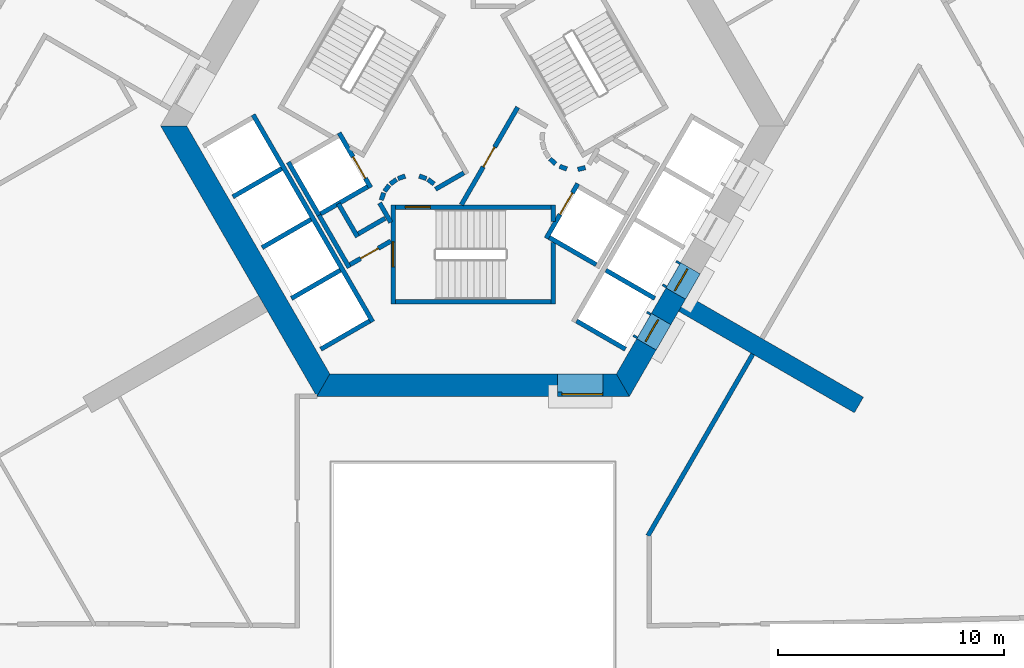
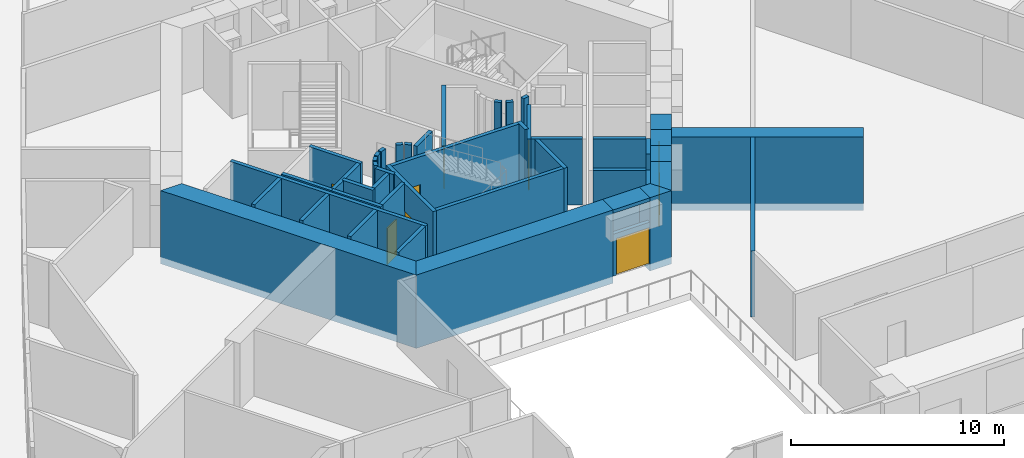
# One storey, part 6 of 14: 46 walls, 9 doors, 9 openings.
"""IFC4 building model written with IfcOpenShell, lengths in metres."""

from ifc_helpers import new_model, si_unit, direction, frame, frame_2d, origin, place, context, subcontext, project, spatial, polyline, rectangle, outline, extrude, material, layer, layer_set, type_object, element, fill, save


model = new_model("IFC4")

# Units and contexts
model_context = context("Model", 3, precision=1e-05, world=origin(), true_north=direction((0.0, 1.0)))
body_context = subcontext(model_context, "Body", "Model", "MODEL_VIEW")
ifc_project = project(units=[si_unit("LENGTHUNIT", "METRE"), si_unit("AREAUNIT", "SQUARE_METRE"), si_unit("VOLUMEUNIT", "CUBIC_METRE"), si_unit("PLANEANGLEUNIT", "RADIAN"), si_unit("MASSUNIT", "GRAM", prefix="KILO")], contexts=[model_context])

# Site, building, storey
site_placement = place(None, origin())
site = spatial("IfcSite", under=ifc_project, at=site_placement, CompositionType="ELEMENT")
building_placement = place(site_placement, origin())
building = spatial("IfcBuilding", under=site, at=building_placement, Name="Entoto Arch Interchange Tower", CompositionType="ELEMENT")
storey_placement = place(building_placement, frame((0.0, 0.0, 64.39990234375)))
storey = spatial("IfcBuildingStorey", under=building, at=storey_placement, Name="L13", CompositionType="ELEMENT", Elevation=64.39990234375)

# Wall
ifc_material_1 = material(Name="Concrete C60/75", Category="concrete")
ifc_layer_1 = layer(ifc_material_1, 0.800048828125)
ifc_layer_set_1 = layer_set([ifc_layer_1], Name="Concrete C60/75")
wall_type_1 = type_object("IfcWallType", Name="Buttress wall 800 C60/75", PredefinedType="SHEAR", material=ifc_layer_set_1)
wall_1_placement = place(storey_placement, frame((9.31005859375, -5.375, -0.39990234375), z_axis=(0.0, 0.0, 1.0), x_axis=(0.866017533419, -0.500013631625, 0.0)))
element("IfcWall", 1, at=wall_1_placement, inside=storey, type_object=wall_type_1, Name="Buttress wall SE L13", PredefinedType="SHEAR", context=body_context, shape_type="SweptSolid", body=[
    extrude(rectangle(XDim=8.999755859375, YDim=0.800048828125, at=frame_2d((4.5, 0.0))), origin(), (0.0, 0.0, 1.0), 4.199951171875),
])

# Wall, opening, door
ifc_material_2 = material(Name="Reinforced concrete C40/50", Category="concrete")
ifc_layer_2 = layer(ifc_material_2, 0.199951171875)
ifc_layer_set_2 = layer_set([ifc_layer_2], Name="Reinforced concrete C40/50")
wall_type_2 = type_object("IfcWallType", Name="CORE GAP INFILL WALL", PredefinedType="PARTITIONING", material=ifc_layer_set_2)
wall_2_placement = place(storey_placement, frame((3.75, -9.39990234375, 0.0), z_axis=(0.0, 0.0, 1.0), x_axis=(1.0, 0.0, 0.0)))
wall_2 = element("IfcWall", 2, at=wall_2_placement, inside=storey, type_object=wall_type_2, Name="wall:L13:gap1", PredefinedType="PARTITIONING", context=body_context, shape_type="SweptSolid", body=[
    extrude(rectangle(XDim=2.0, YDim=0.199951171875, at=frame_2d((1.0, 0.0))), origin(), (0.0, 0.0, 1.0), 2.400146484375),
])
opening_1_placement = place(wall_2_placement, frame((0.18994140625, 0.0, 0.0)))
opening_1 = element("IfcOpeningElement", 3, at=opening_1_placement, cuts=wall_2, Name="Opening L13-D91", PredefinedType="OPENING", context=body_context, shape_type="SweptSolid", body=[
    extrude(rectangle(XDim=1.800048828125, YDim=2.10009765625, at=frame_2d((0.89990234375, 1.050048828125))), frame((0.0, 0.10986328125, 0.0), z_axis=(0.0, -1.0, 0.0), x_axis=(1.0, 0.0, 0.0)), (0.0, 0.0, 1.0), 0.219970703125),
])
ifc_material_3 = material(Name="Fire-rated Steel S235 door and frame", Category="steel")
door_type_1 = type_object("IfcDoorType", Name="DOOR FD-18 1800x2100", OperationType="DOUBLE_DOOR_SINGLE_SWING", PredefinedType="DOOR", material=ifc_material_3)
door_1_placement = place(opening_1_placement, origin())
door_1 = element("IfcDoor", 4, at=door_1_placement, inside=storey, type_object=door_type_1, Name="door:L13:gap1", OperationType="DOUBLE_DOOR_SINGLE_SWING", OverallHeight=2.10009765625, OverallWidth=1.800048828125, PredefinedType="DOOR", context=body_context, shape_type="SweptSolid", body=[
    extrude(rectangle(XDim=1.800048828125, YDim=2.10009765625, at=frame_2d((0.89990234375, 1.050048828125))), frame((0.0, 0.02490234375, 0.0), z_axis=(0.0, -1.0, 0.0), x_axis=(1.0, 0.0, 0.0)), (0.0, 0.0, 1.0), 0.050048828125),
])
fill(opening_1, door_1)

# Walls
ifc_layer_3 = layer(ifc_material_1, 1.0)
ifc_layer_set_3 = layer_set([ifc_layer_3], Name="Concrete C60/75")
wall_type_3 = type_object("IfcWallType", Name="Core wall 1000 C60/75", PredefinedType="SHEAR", material=ifc_layer_set_3)
wall_3_placement = place(storey_placement, frame((0.0, 0.0, -0.39990234375)))
element("IfcWall", 5, at=wall_3_placement, inside=storey, type_object=wall_type_3, Name="Core wall SW L13", PredefinedType="SHEAR", context=body_context, shape_type="SweptSolid", body=[
    extrude(outline(polyline([(-13.85595703125, 2.5), (-6.927978515625, -9.5), (-6.35107421875, -8.5), (-12.701904296875, 2.5), (-13.85595703125, 2.5)])), origin(), (0.0, 0.0, 1.0), 4.199951171875),
])
wall_4_placement = place(storey_placement, frame((0.0, 0.0, -0.39990234375)))
element("IfcWall", 6, at=wall_4_placement, inside=storey, type_object=wall_type_3, Name="Core wall S L13", PredefinedType="SHEAR", context=body_context, shape_type="SweptSolid", body=[
    extrude(outline(polyline([(3.75, -9.5), (3.75, -8.5), (-6.35107421875, -8.5), (-6.927978515625, -9.5), (3.75, -9.5)])), origin(), (0.0, 0.0, 1.0), 4.199951171875),
])
wall_5_placement = place(storey_placement, frame((0.0, 0.0, -0.39990234375)))
element("IfcWall", 7, at=wall_5_placement, inside=storey, type_object=wall_type_3, Name="Core wall S L13", PredefinedType="SHEAR", context=body_context, shape_type="SweptSolid", body=[
    extrude(outline(polyline([(5.75, -8.5), (5.75, -9.5), (6.927978515625, -9.5), (6.35107421875, -8.5), (5.75, -8.5)])), origin(), (0.0, 0.0, 1.0), 4.199951171875),
])
wall_6_placement = place(storey_placement, frame((0.0, 0.0, 3.60009765625)))
element("IfcWall", 8, at=wall_6_placement, inside=storey, type_object=wall_type_3, Name="Core wall lintel S L13", PredefinedType="SHEAR", context=body_context, shape_type="SweptSolid", body=[
    extrude(outline(polyline([(5.75, -9.5), (5.75, -8.5), (3.75, -8.5), (3.75, -9.5), (5.75, -9.5)])), origin(), (0.0, 0.0, 1.0), 0.199951171875),
])
wall_7_placement = place(storey_placement, frame((0.0, 0.0, -0.39990234375)))
element("IfcWall", 9, at=wall_7_placement, inside=storey, type_object=wall_type_3, Name="Core wall SE L13", PredefinedType="SHEAR", context=body_context, shape_type="SweptSolid", body=[
    extrude(outline(polyline([(8.116943359375, -7.43994140625), (7.251953125, -6.93994140625), (6.35107421875, -8.5), (6.927978515625, -9.5), (8.116943359375, -7.43994140625)])), origin(), (0.0, 0.0, 1.0), 4.199951171875),
])
wall_8_placement = place(storey_placement, frame((0.0, 0.0, -0.39990234375)))
element("IfcWall", 10, at=wall_8_placement, inside=storey, type_object=wall_type_3, Name="Core wall SE L13", PredefinedType="SHEAR", context=body_context, shape_type="SweptSolid", body=[
    extrude(outline(polyline([(9.4169921875, -5.18896484375), (8.551025390625, -4.68896484375), (7.902099609375, -5.81396484375), (8.76708984375, -6.31396484375), (9.4169921875, -5.18896484375)])), origin(), (0.0, 0.0, 1.0), 4.199951171875),
])
wall_9_placement = place(storey_placement, frame((0.0, 0.0, 3.60009765625)))
element("IfcWall", 11, at=wall_9_placement, inside=storey, type_object=wall_type_3, Name="Core wall lintel SE L13", PredefinedType="SHEAR", context=body_context, shape_type="SweptSolid", body=[
    extrude(outline(polyline([(8.76708984375, -6.31396484375), (7.902099609375, -5.81396484375), (7.251953125, -6.93994140625), (8.116943359375, -7.43994140625), (8.76708984375, -6.31396484375)])), origin(), (0.0, 0.0, 1.0), 0.199951171875),
])
wall_10_placement = place(storey_placement, frame((0.0, 0.0, 3.60009765625)))
element("IfcWall", 12, at=wall_10_placement, inside=storey, type_object=wall_type_3, Name="Core wall lintel SE L13", PredefinedType="SHEAR", context=body_context, shape_type="SweptSolid", body=[
    extrude(outline(polyline([(10.06689453125, -4.06298828125), (9.200927734375, -3.56298828125), (8.551025390625, -4.68896484375), (9.4169921875, -5.18896484375), (10.06689453125, -4.06298828125)])), origin(), (0.0, 0.0, 1.0), 0.199951171875),
])

# Wall, opening, door
ifc_material_4 = material(Name="Concrete C40/50", Category="concrete")
ifc_layer_4 = layer(ifc_material_4, 1.199951171875)
ifc_layer_set_4 = layer_set([ifc_layer_4], Name="Concrete C40/50")
wall_type_4 = type_object("IfcWallType", Name="LIFT LANDING INFILL WALL", PredefinedType="STANDARD", material=ifc_layer_set_4)
wall_11_placement = place(storey_placement, frame((7.597900390625, -7.139892578125, 0.0), z_axis=(0.0, 0.0, 1.0), x_axis=(0.500362116554, 0.865816234728, 0.0)))
wall_11 = element("IfcWall", 13, at=wall_11_placement, inside=storey, type_object=wall_type_4, Name="Lift landing infill wall LR5 L13", PredefinedType="STANDARD", context=body_context, shape_type="SweptSolid", body=[
    extrude(rectangle(XDim=1.29931640625, YDim=1.199951171875, at=frame_2d((0.649658203125, 0.0))), origin(), (0.0, 0.0, 1.0), 2.400146484375),
])
opening_2_placement = place(wall_11_placement, frame((0.10009765625, 0.0, 0.0)))
opening_2 = element("IfcOpeningElement", 14, at=opening_2_placement, cuts=wall_11, Name="Opening LD-LR5-L13", PredefinedType="OPENING", context=body_context, shape_type="SweptSolid", body=[
    extrude(rectangle(XDim=1.10009765625, YDim=2.300048828125, at=frame_2d((0.550048828125, 1.14990234375))), frame((0.0, 0.60986328125, 0.0), z_axis=(0.0, -1.0, 0.0), x_axis=(1.0, 0.0, 0.0)), (0.0, 0.0, 1.0), 1.219970703125),
])
ifc_material_5 = material(Name="Stainless steel 1.4301 panels", Category="steel")
door_type_2 = type_object("IfcDoorType", Name="LIFT LANDING DOOR LD2 1100x2300", OperationType="SLIDING_TO_LEFT", PredefinedType="DOOR", material=ifc_material_5)
door_2_placement = place(opening_2_placement, origin())
door_2 = element("IfcDoor", 15, at=door_2_placement, inside=storey, type_object=door_type_2, Name="Lift landing door LR5 L13", OperationType="SLIDING_TO_LEFT", OverallHeight=2.300048828125, OverallWidth=1.10009765625, PredefinedType="DOOR", context=body_context, shape_type="SweptSolid", body=[
    extrude(rectangle(XDim=1.10009765625, YDim=2.300048828125, at=frame_2d((0.550048828125, 1.14990234375))), frame((0.0, 0.02490234375, 0.0), z_axis=(0.0, -1.0, 0.0), x_axis=(1.0, 0.0, 0.0)), (0.0, 0.0, 1.0), 0.050048828125),
])
fill(opening_2, door_2)

wall_12_placement = place(storey_placement, frame((8.89794921875, -4.888916015625, 0.0), z_axis=(0.0, 0.0, 1.0), x_axis=(0.500036693733, 0.866004217611, 0.0)))
wall_12 = element("IfcWall", 16, at=wall_12_placement, inside=storey, type_object=wall_type_4, Name="Lift landing infill wall LR6 L13", PredefinedType="STANDARD", context=body_context, shape_type="SweptSolid", body=[
    extrude(rectangle(XDim=1.30029296875, YDim=1.199951171875, at=frame_2d((0.650146484375, 0.0))), origin(), (0.0, 0.0, 1.0), 2.400146484375),
])
opening_3_placement = place(wall_12_placement, frame((0.10009765625, 0.0, 0.0)))
opening_3 = element("IfcOpeningElement", 17, at=opening_3_placement, cuts=wall_12, Name="Opening LD-LR6-L13", PredefinedType="OPENING", context=body_context, shape_type="SweptSolid", body=[
    extrude(rectangle(XDim=1.10009765625, YDim=2.300048828125, at=frame_2d((0.550048828125, 1.14990234375))), frame((0.0, 0.60986328125, 0.0), z_axis=(0.0, -1.0, 0.0), x_axis=(1.0, 0.0, 0.0)), (0.0, 0.0, 1.0), 1.219970703125),
])
door_3_placement = place(opening_3_placement, origin())
door_3 = element("IfcDoor", 18, at=door_3_placement, inside=storey, type_object=door_type_2, Name="Lift landing door LR6 L13", OperationType="SLIDING_TO_LEFT", OverallHeight=2.300048828125, OverallWidth=1.10009765625, PredefinedType="DOOR", context=body_context, shape_type="SweptSolid", body=[
    extrude(rectangle(XDim=1.10009765625, YDim=2.300048828125, at=frame_2d((0.550048828125, 1.14990234375))), frame((0.0, 0.02490234375, 0.0), z_axis=(0.0, -1.0, 0.0), x_axis=(1.0, 0.0, 0.0)), (0.0, 0.0, 1.0), 0.050048828125),
])
fill(opening_3, door_3)

ifc_layer_5 = layer(ifc_material_4, 0.199951171875)
ifc_layer_set_5 = layer_set([ifc_layer_5], Name="Concrete C40/50")
wall_type_5 = type_object("IfcWallType", Name="LIFT SHAFT WALL 200", PredefinedType="STANDARD", material=ifc_layer_set_5)
wall_13_placement = place(storey_placement, frame((-5.93994140625, 2.18798828125, 0.0), z_axis=(0.0, 0.0, 1.0), x_axis=(0.49994636267, -0.866056369097, 0.0)))
wall_13 = element("IfcWall", 19, at=wall_13_placement, inside=storey, type_object=wall_type_5, Name="Shaft wall SW1 front", PredefinedType="STANDARD", context=body_context, shape_type="SweptSolid", body=[
    extrude(rectangle(XDim=2.800048828125, YDim=0.199951171875, at=frame_2d((1.39990234375, 0.0))), origin(), (0.0, 0.0, 1.0), 3.800048828125),
])
opening_4_placement = place(wall_13_placement, frame((1.22509765625, 0.0, 0.0)))
opening_4 = element("IfcOpeningElement", 20, at=opening_4_placement, cuts=wall_13, Name="Opening LD-FF2-L13", PredefinedType="OPENING", context=body_context, shape_type="SweptSolid", body=[
    extrude(rectangle(XDim=1.10009765625, YDim=2.10009765625, at=frame_2d((0.550048828125, 1.050048828125))), frame((0.0, 0.10986328125, 0.0), z_axis=(0.0, -1.0, 0.0), x_axis=(1.0, 0.0, 0.0)), (0.0, 0.0, 1.0), 0.219970703125),
])
door_type_3 = type_object("IfcDoorType", Name="LIFT LANDING DOOR LD1 1100x2100", OperationType="SLIDING_TO_LEFT", PredefinedType="DOOR", material=ifc_material_5)
door_4_placement = place(opening_4_placement, origin())
door_4 = element("IfcDoor", 21, at=door_4_placement, inside=storey, type_object=door_type_3, Name="Lift landing door FF2 L13", OperationType="SLIDING_TO_LEFT", OverallHeight=2.10009765625, OverallWidth=1.10009765625, PredefinedType="DOOR", context=body_context, shape_type="SweptSolid", body=[
    extrude(rectangle(XDim=1.10009765625, YDim=2.10009765625, at=frame_2d((0.550048828125, 1.050048828125))), frame((0.0, 0.02490234375, 0.0), z_axis=(0.0, -1.0, 0.0), x_axis=(1.0, 0.0, 0.0)), (0.0, 0.0, 1.0), 0.050048828125),
])
fill(opening_4, door_4)

# Walls
wall_14_placement = place(storey_placement, frame((-8.19189453125, 0.887939453125, 0.0), z_axis=(0.0, 0.0, 1.0), x_axis=(0.49994636267, -0.866056369097, 0.0)))
element("IfcWall", 22, at=wall_14_placement, inside=storey, type_object=wall_type_5, Name="Shaft wall SW1 back", PredefinedType="STANDARD", context=body_context, shape_type="SweptSolid", body=[
    extrude(rectangle(XDim=2.800048828125, YDim=0.199951171875, at=frame_2d((1.39990234375, 0.0))), origin(), (0.0, 0.0, 1.0), 3.800048828125),
])
wall_15_placement = place(storey_placement, frame((-4.677001953125, -0.199951171875, 0.0), z_axis=(0.0, 0.0, 1.0), x_axis=(-0.865973769406, -0.500089422704, 0.0)))
element("IfcWall", 23, at=wall_15_placement, inside=storey, type_object=wall_type_5, Name="Shaft wall SW1 cross 2", PredefinedType="STANDARD", context=body_context, shape_type="SweptSolid", body=[
    extrude(rectangle(XDim=2.3994140625, YDim=0.199951171875, at=frame_2d((1.19970703125, 0.0))), origin(), (0.0, 0.0, 1.0), 3.800048828125),
])
wall_16_placement = place(storey_placement, frame((-9.7509765625, 2.989990234375, 0.0), z_axis=(0.0, 0.0, 1.0), x_axis=(0.50000090737, -0.866024879913, 0.0)))
element("IfcWall", 24, at=wall_16_placement, inside=storey, type_object=wall_type_5, Name="Shaft wall SW3 front", PredefinedType="STANDARD", context=body_context, shape_type="SweptSolid", body=[
    extrude(rectangle(XDim=10.60009765625, YDim=0.199951171875, at=frame_2d((5.300048828125, 0.0))), origin(), (0.0, 0.0, 1.0), 3.800048828125),
])
for number, where, z_axis, x_axis, name in (
    (25, (-8.488037109375, 0.60205078125, 0.0), (0.0, 0.0, 1.0), (-0.866022959057, -0.500004234368, 0.0), "Shaft wall SW3 cross 2"),
    (26, (-7.18798828125, -1.64990234375, 0.0), (0.0, 0.0, 1.0), (-0.866022959057, -0.500004234368, 0.0), "Shaft wall SW3 cross 3"),
    (27, (-5.887939453125, -3.902099609375, 0.0), (0.0, 0.0, 1.0), (-0.866022959057, -0.500004234368, 0.0), "Shaft wall SW3 cross 4"),
    (28, (-4.587890625, -6.153076171875, 0.0), (0.0, 0.0, 1.0), (-0.866022959057, -0.500004234368, 0.0), "Shaft wall SW3 cross 5"),
):
    element("IfcWall", number, at=place(storey_placement, frame(where, z_axis=z_axis, x_axis=x_axis)), inside=storey, type_object=wall_type_5, Name=name, PredefinedType="STANDARD", context=body_context, shape_type="SweptSolid", body=[
        extrude(rectangle(XDim=2.5, YDim=0.199951171875, at=frame_2d((1.25, 0.0))), origin(), (0.0, 0.0, 1.0), 3.800048828125),
    ])

# Wall, opening, door
wall_17_placement = place(storey_placement, frame((3.239990234375, -2.488037109375, 0.0), z_axis=(0.0, 0.0, 1.0), x_axis=(0.49994636267, 0.866056369097, 0.0)))
wall_17 = element("IfcWall", 29, at=wall_17_placement, inside=storey, type_object=wall_type_5, Name="Shaft wall SE1 front", PredefinedType="STANDARD", context=body_context, shape_type="SweptSolid", body=[
    extrude(rectangle(XDim=2.800048828125, YDim=0.199951171875, at=frame_2d((1.39990234375, 0.0))), origin(), (0.0, 0.0, 1.0), 3.800048828125),
])
opening_5_placement = place(wall_17_placement, frame((1.22509765625, 0.0, 0.0)))
opening_5 = element("IfcOpeningElement", 30, at=opening_5_placement, cuts=wall_17, Name="Opening LD-FF1-L13", PredefinedType="OPENING", context=body_context, shape_type="SweptSolid", body=[
    extrude(rectangle(XDim=1.10009765625, YDim=2.10009765625, at=frame_2d((0.550048828125, 1.050048828125))), frame((0.0, 0.10986328125, 0.0), z_axis=(0.0, -1.0, 0.0), x_axis=(1.0, 0.0, 0.0)), (0.0, 0.0, 1.0), 0.219970703125),
])
door_5_placement = place(opening_5_placement, origin())
door_5 = element("IfcDoor", 31, at=door_5_placement, inside=storey, type_object=door_type_3, Name="Lift landing door FF1 L13", OperationType="SLIDING_TO_LEFT", OverallHeight=2.10009765625, OverallWidth=1.10009765625, PredefinedType="DOOR", context=body_context, shape_type="SweptSolid", body=[
    extrude(rectangle(XDim=1.10009765625, YDim=2.10009765625, at=frame_2d((0.550048828125, 1.050048828125))), frame((0.0, 0.02490234375, 0.0), z_axis=(0.0, -1.0, 0.0), x_axis=(1.0, 0.0, 0.0)), (0.0, 0.0, 1.0), 0.050048828125),
])
fill(opening_5, door_5)

# Walls
wall_18_placement = place(storey_placement, frame((3.376953125, -2.451904296875, 0.0), z_axis=(0.0, 0.0, 1.0), x_axis=(0.865955154139, -0.50012165622, 0.0)))
element("IfcWall", 32, at=wall_18_placement, inside=storey, type_object=wall_type_5, Name="Shaft wall SE1 cross 1", PredefinedType="STANDARD", context=body_context, shape_type="SweptSolid", body=[
    extrude(rectangle(XDim=2.39990234375, YDim=0.199951171875, at=frame_2d((1.199951171875, 0.0))), origin(), (0.0, 0.0, 1.0), 3.800048828125),
])
for number, where, z_axis, x_axis, name in (
    (33, (4.587890625, -6.153076171875, 0.0), (0.0, 0.0, 1.0), (0.866022959057, -0.500004234368, 0.0), "Shaft wall SE3 cross 1"),
    (34, (5.887939453125, -3.902099609375, 0.0), (0.0, 0.0, 1.0), (0.866022959057, -0.500004234368, 0.0), "Shaft wall SE3 cross 2"),
):
    element("IfcWall", number, at=place(storey_placement, frame(where, z_axis=z_axis, x_axis=x_axis)), inside=storey, type_object=wall_type_5, Name=name, PredefinedType="STANDARD", context=body_context, shape_type="SweptSolid", body=[
        extrude(rectangle(XDim=2.5, YDim=0.199951171875, at=frame_2d((1.25, 0.0))), origin(), (0.0, 0.0, 1.0), 3.800048828125),
    ])
ifc_material_6 = material(Name="Gypsum board partition on steel studs", Category="steel")
ifc_layer_6 = layer(ifc_material_6, 0.199951171875)
ifc_layer_set_6 = layer_set([ifc_layer_6], Name="Gypsum board partition on steel studs")
wall_type_6 = type_object("IfcWallType", Name="PARTITION 200", PredefinedType="PARTITIONING", material=ifc_layer_set_6)
wall_19_placement = place(storey_placement, frame((-3.89990234375, -1.59912109375, 0.0), z_axis=(0.0, 0.0, 1.0), x_axis=(-0.865969445389, -0.500096910261, 0.0)))
element("IfcWall", 35, at=wall_19_placement, inside=storey, type_object=wall_type_6, Name="wall:L13:p092", PredefinedType="PARTITIONING", context=body_context, shape_type="SweptSolid", body=[
    extrude(rectangle(XDim=1.373291015625, YDim=0.199951171875, at=frame_2d((0.6865234375, 0.0))), origin(), (0.0, 0.0, 1.0), 3.800048828125),
])
wall_20_placement = place(storey_placement, frame((-5.1259765625, -2.422119140625, 0.0), z_axis=(0.0, 0.0, 1.0), x_axis=(-0.500062241894, 0.865989465428, 0.0)))
element("IfcWall", 36, at=wall_20_placement, inside=storey, type_object=wall_type_6, Name="wall:L13:p093", PredefinedType="PARTITIONING", context=body_context, shape_type="SweptSolid", body=[
    extrude(rectangle(XDim=1.699951171875, YDim=0.199951171875, at=frame_2d((0.85009765625, 0.0))), origin(), (0.0, 0.0, 1.0), 3.800048828125),
])

# Wall, opening, door
wall_21_placement = place(storey_placement, frame((-3.64990234375, -2.610107421875, 0.0), z_axis=(0.0, 0.0, 1.0), x_axis=(-0.866072462134, -0.499918483688, 0.0)))
wall_21 = element("IfcWall", 37, at=wall_21_placement, inside=storey, type_object=wall_type_6, Name="wall:L13:p094", PredefinedType="PARTITIONING", context=body_context, shape_type="SweptSolid", body=[
    extrude(rectangle(XDim=2.084228515625, YDim=0.199951171875, at=frame_2d((1.0419921875, 0.0))), origin(), (0.0, 0.0, 1.0), 3.800048828125),
])
opening_6_placement = place(wall_21_placement, frame((0.64208984375, 0.0, 0.0)))
opening_6 = element("IfcOpeningElement", 38, at=opening_6_placement, cuts=wall_21, Name="Opening L13-D34", PredefinedType="OPENING", context=body_context, shape_type="SweptSolid", body=[
    extrude(rectangle(XDim=0.89990234375, YDim=2.10009765625, at=frame_2d((0.449951171875, 1.050048828125))), frame((0.0, 0.10986328125, 0.0), z_axis=(0.0, -1.0, 0.0), x_axis=(1.0, 0.0, 0.0)), (0.0, 0.0, 1.0), 0.219970703125),
])
ifc_material_7 = material(Name="Timber door leaf in Steel S235 frame", Category="steel")
door_type_4 = type_object("IfcDoorType", Name="DOOR DS-09 900x2100", OperationType="SINGLE_SWING_LEFT", PredefinedType="DOOR", material=ifc_material_7)
door_6_placement = place(opening_6_placement, origin())
door_6 = element("IfcDoor", 39, at=door_6_placement, inside=storey, type_object=door_type_4, Name="door:L13:34", OperationType="SINGLE_SWING_LEFT", OverallHeight=2.10009765625, OverallWidth=0.89990234375, PredefinedType="DOOR", context=body_context, shape_type="SweptSolid", body=[
    extrude(rectangle(XDim=0.89990234375, YDim=2.10009765625, at=frame_2d((0.449951171875, 1.050048828125))), frame((0.0, 0.02490234375, 0.0), z_axis=(0.0, -1.0, 0.0), x_axis=(1.0, 0.0, 0.0)), (0.0, 0.0, 1.0), 0.050048828125),
])
fill(opening_6, door_6)

# Walls
wall_22_placement = place(storey_placement, frame((-5.491943359375, -3.7880859375, 0.0), z_axis=(0.0, 0.0, 1.0), x_axis=(-0.500008949224, 0.866020236886, 0.0)))
element("IfcWall", 40, at=wall_22_placement, inside=storey, type_object=wall_type_6, Name="wall:L13:p095", PredefinedType="PARTITIONING", context=body_context, shape_type="SweptSolid", body=[
    extrude(rectangle(XDim=2.68017578125, YDim=0.199951171875, at=frame_2d((1.340087890625, 0.0))), origin(), (0.0, 0.0, 1.0), 3.800048828125),
])
wall_23_placement = place(storey_placement, frame((-4.14501953125, -0.919921875, 0.0), z_axis=(0.0, 0.0, 1.0), x_axis=(0.499743786207, -0.866173278362, 0.0)))
element("IfcWall", 41, at=wall_23_placement, inside=storey, type_object=wall_type_6, Name="wall:L13:p096", PredefinedType="PARTITIONING", context=body_context, shape_type="SweptSolid", body=[
    extrude(rectangle(XDim=0.99072265625, YDim=0.199951171875, at=frame_2d((0.495361328125, 0.0))), origin(), (0.0, 0.0, 1.0), 3.800048828125),
])

# Wall, opening, door
wall_24_placement = place(storey_placement, frame((-0.52001953125, -1.0, 0.0), z_axis=(0.0, 0.0, 1.0), x_axis=(0.50011622646, 0.865958290007, 0.0)))
wall_24 = element("IfcWall", 42, at=wall_24_placement, inside=storey, type_object=wall_type_6, Name="wall:L13:p100", PredefinedType="PARTITIONING", context=body_context, shape_type="SweptSolid", body=[
    extrude(rectangle(XDim=4.990966796875, YDim=0.199951171875, at=frame_2d((2.49560546875, 0.0))), origin(), (0.0, 0.0, 1.0), 3.800048828125),
])
opening_7_placement = place(wall_24_placement, frame((1.945068359375, 0.0, 0.0)))
opening_7 = element("IfcOpeningElement", 43, at=opening_7_placement, cuts=wall_24, Name="Opening L13-D30", PredefinedType="OPENING", context=body_context, shape_type="SweptSolid", body=[
    extrude(rectangle(XDim=1.0, YDim=2.10009765625, at=frame_2d((0.5, 1.050048828125))), frame((0.0, 0.10986328125, 0.0), z_axis=(0.0, -1.0, 0.0), x_axis=(1.0, 0.0, 0.0)), (0.0, 0.0, 1.0), 0.219970703125),
])
door_type_5 = type_object("IfcDoorType", Name="DOOR FD-10 1000x2100", OperationType="SINGLE_SWING_LEFT", PredefinedType="DOOR", material=ifc_material_3)
door_7_placement = place(opening_7_placement, origin())
door_7 = element("IfcDoor", 44, at=door_7_placement, inside=storey, type_object=door_type_5, Name="door:L13:30", OperationType="SINGLE_SWING_LEFT", OverallHeight=2.10009765625, OverallWidth=1.0, PredefinedType="DOOR", context=body_context, shape_type="SweptSolid", body=[
    extrude(rectangle(XDim=1.0, YDim=2.10009765625, at=frame_2d((0.5, 1.050048828125))), frame((0.0, 0.02490234375, 0.0), z_axis=(0.0, -1.0, 0.0), x_axis=(1.0, 0.0, 0.0)), (0.0, 0.0, 1.0), 0.050048828125),
])
fill(opening_7, door_7)

# Walls
wall_25_placement = place(storey_placement, frame((3.404052734375, 1.0390625, 0.0), z_axis=(0.0, 0.0, 1.0), x_axis=(0.740267097712, -0.672312891476, 0.0)))
element("IfcWall", 45, at=wall_25_placement, inside=storey, type_object=wall_type_6, Name="wall:L13:p105", PredefinedType="PARTITIONING", context=body_context, shape_type="SweptSolid", body=[
    extrude(rectangle(XDim=0.337646484375, YDim=0.199951171875, at=frame_2d((0.1689453125, 0.0))), origin(), (0.0, 0.0, 1.0), 3.800048828125),
])
wall_26_placement = place(storey_placement, frame((3.837890625, 0.701904296875, 0.0), z_axis=(0.0, 0.0, 1.0), x_axis=(0.941035081519, -0.338308993895, 0.0)))
element("IfcWall", 46, at=wall_26_placement, inside=storey, type_object=wall_type_6, Name="wall:L13:p106", PredefinedType="PARTITIONING", context=body_context, shape_type="SweptSolid", body=[
    extrude(rectangle(XDim=0.3369140625, YDim=0.199951171875, at=frame_2d((0.16845703125, 0.0))), origin(), (0.0, 0.0, 1.0), 3.800048828125),
])
wall_27_placement = place(storey_placement, frame((4.64404296875, 0.56396484375, 0.0), z_axis=(0.0, 0.0, 1.0), x_axis=(0.969929076366, 0.243387729394, 0.0)))
element("IfcWall", 47, at=wall_27_placement, inside=storey, type_object=wall_type_6, Name="wall:L13:p107", PredefinedType="PARTITIONING", context=body_context, shape_type="SweptSolid", body=[
    extrude(rectangle(XDim=0.337158203125, YDim=0.199951171875, at=frame_2d((0.16845703125, 0.0))), origin(), (0.0, 0.0, 1.0), 3.800048828125),
])
wall_28_placement = place(storey_placement, frame((-0.412109375, 0.4140625, 0.0), z_axis=(0.0, 0.0, 1.0), x_axis=(-0.866017369001, -0.500013916395, 0.0)))
element("IfcWall", 48, at=wall_28_placement, inside=storey, type_object=wall_type_6, Name="wall:L13:p109", PredefinedType="PARTITIONING", context=body_context, shape_type="SweptSolid", body=[
    extrude(rectangle(XDim=1.4501953125, YDim=0.199951171875, at=frame_2d((0.72509765625, 0.0))), origin(), (0.0, 0.0, 1.0), 3.800048828125),
])
wall_29_placement = place(storey_placement, frame((-1.73095703125, -0.076904296875, 0.0), z_axis=(0.0, 0.0, 1.0), x_axis=(-0.804311165252, 0.594208338422, 0.0)))
element("IfcWall", 49, at=wall_29_placement, inside=storey, type_object=wall_type_6, Name="wall:L13:p110", PredefinedType="PARTITIONING", context=body_context, shape_type="SweptSolid", body=[
    extrude(rectangle(XDim=0.338134765625, YDim=0.199951171875, at=frame_2d((0.1689453125, 0.0))), origin(), (0.0, 0.0, 1.0), 3.800048828125),
])
wall_30_placement = place(storey_placement, frame((-2.070068359375, 0.159912109375, 0.0), z_axis=(0.0, 0.0, 1.0), x_axis=(-0.942199461132, 0.335052496547, 0.0)))
element("IfcWall", 50, at=wall_30_placement, inside=storey, type_object=wall_type_6, Name="wall:L13:p111", PredefinedType="PARTITIONING", context=body_context, shape_type="SweptSolid", body=[
    extrude(rectangle(XDim=0.33740234375, YDim=0.199951171875, at=frame_2d((0.168701171875, 0.0))), origin(), (0.0, 0.0, 1.0), 3.800048828125),
])
wall_31_placement = place(storey_placement, frame((-3.011962890625, 0.27294921875, 0.0), z_axis=(0.0, 0.0, 1.0), x_axis=(-0.942280615813, -0.334824194261, 0.0)))
element("IfcWall", 51, at=wall_31_placement, inside=storey, type_object=wall_type_6, Name="wall:L13:p112", PredefinedType="PARTITIONING", context=body_context, shape_type="SweptSolid", body=[
    extrude(rectangle(XDim=0.337646484375, YDim=0.199951171875, at=frame_2d((0.1689453125, 0.0))), origin(), (0.0, 0.0, 1.0), 3.800048828125),
])
wall_32_placement = place(storey_placement, frame((-3.39697265625, 0.1240234375, 0.0), z_axis=(0.0, 0.0, 1.0), x_axis=(-0.804311165252, -0.594208338422, 0.0)))
element("IfcWall", 52, at=wall_32_placement, inside=storey, type_object=wall_type_6, Name="wall:L13:p113", PredefinedType="PARTITIONING", context=body_context, shape_type="SweptSolid", body=[
    extrude(rectangle(XDim=0.338134765625, YDim=0.199951171875, at=frame_2d((0.1689453125, 0.0))), origin(), (0.0, 0.0, 1.0), 3.800048828125),
])
wall_33_placement = place(storey_placement, frame((-3.722900390625, -0.131103515625, 0.0), z_axis=(0.0, 0.0, 1.0), x_axis=(-0.594675113454, -0.803966112121, 0.0)))
element("IfcWall", 53, at=wall_33_placement, inside=storey, type_object=wall_type_6, Name="wall:L13:p114", PredefinedType="PARTITIONING", context=body_context, shape_type="SweptSolid", body=[
    extrude(rectangle(XDim=0.33837890625, YDim=0.199951171875, at=frame_2d((0.169189453125, 0.0))), origin(), (0.0, 0.0, 1.0), 3.800048828125),
])
wall_34_placement = place(storey_placement, frame((-3.9599609375, -0.469970703125, 0.0), z_axis=(0.0, 0.0, 1.0), x_axis=(-0.334824194261, -0.942280615813, 0.0)))
element("IfcWall", 54, at=wall_34_placement, inside=storey, type_object=wall_type_6, Name="wall:L13:p115", PredefinedType="PARTITIONING", context=body_context, shape_type="SweptSolid", body=[
    extrude(rectangle(XDim=0.337646484375, YDim=0.199951171875, at=frame_2d((0.1689453125, 0.0))), origin(), (0.0, 0.0, 1.0), 3.800048828125),
])
wall_35_placement = place(storey_placement, frame((12.40087890625, -7.6220703125, 0.0), z_axis=(0.0, 0.0, 1.0), x_axis=(-0.500029185841, -0.866008552675, 0.0)))
element("IfcWall", 55, at=wall_35_placement, inside=storey, type_object=wall_type_6, Name="wall:L13:p122", PredefinedType="PARTITIONING", context=body_context, shape_type="SweptSolid", body=[
    extrude(rectangle(XDim=9.30126953125, YDim=0.199951171875, at=frame_2d((4.650634765625, 0.0))), origin(), (0.0, 0.0, 1.0), 3.800048828125),
])

# Wall, opening, door
ifc_layer_7 = layer(ifc_material_4, 0.199951171875)
ifc_layer_set_7 = layer_set([ifc_layer_7], Name="Concrete C40/50")
wall_type_7 = type_object("IfcWallType", Name="STAIR ENCLOSURE WALL 200", PredefinedType="STANDARD", material=ifc_layer_set_7)
wall_36_placement = place(storey_placement, frame((-3.550048828125, -1.0, 0.0), z_axis=(0.0, 0.0, 1.0), x_axis=(0.0, -1.0, 0.0)))
wall_36 = element("IfcWall", 56, at=wall_36_placement, inside=storey, type_object=wall_type_7, Name="Stair wall ST-S near", PredefinedType="STANDARD", context=body_context, shape_type="SweptSolid", body=[
    extrude(rectangle(XDim=4.39990234375, YDim=0.199951171875, at=frame_2d((2.199951171875, 0.0))), origin(), (0.0, 0.0, 1.0), 3.800048828125),
])
opening_8_placement = place(wall_36_placement, frame((1.64990234375, 0.0, 0.0)))
opening_8 = element("IfcOpeningElement", 57, at=opening_8_placement, cuts=wall_36, Name="Opening SD-ST-S-L13-E", PredefinedType="OPENING", context=body_context, shape_type="SweptSolid", body=[
    extrude(rectangle(XDim=1.10009765625, YDim=2.199951171875, at=frame_2d((0.550048828125, 1.10009765625))), frame((0.0, 0.10986328125, 0.0), z_axis=(0.0, -1.0, 0.0), x_axis=(1.0, 0.0, 0.0)), (0.0, 0.0, 1.0), 0.219970703125),
])
ifc_material_8 = material(Name="Steel S235", Category="steel")
door_type_6 = type_object("IfcDoorType", Name="STAIR DOOR SD1 1100x2200", OperationType="SINGLE_SWING_LEFT", PredefinedType="DOOR", material=ifc_material_8)
door_8_placement = place(opening_8_placement, origin())
door_8 = element("IfcDoor", 58, at=door_8_placement, inside=storey, type_object=door_type_6, Name="Stair door ST-S L13 end", OperationType="SINGLE_SWING_LEFT", OverallHeight=2.199951171875, OverallWidth=1.10009765625, PredefinedType="DOOR", context=body_context, shape_type="SweptSolid", body=[
    extrude(rectangle(XDim=1.10009765625, YDim=2.199951171875, at=frame_2d((0.550048828125, 1.10009765625))), frame((0.0, 0.02490234375, 0.0), z_axis=(0.0, -1.0, 0.0), x_axis=(1.0, 0.0, 0.0)), (0.0, 0.0, 1.0), 0.050048828125),
])
fill(opening_8, door_8)

# Walls
wall_37_placement = place(storey_placement, frame((3.550048828125, -2.6669921875, 0.0), z_axis=(0.0, 0.0, 1.0), x_axis=(0.0, -1.0, 0.0)))
element("IfcWall", 59, at=wall_37_placement, inside=storey, type_object=wall_type_7, Name="Stair wall ST-S far", PredefinedType="STANDARD", context=body_context, shape_type="SweptSolid", body=[
    extrude(rectangle(XDim=2.73291015625, YDim=0.199951171875, at=frame_2d((1.366455078125, 0.0))), origin(), (0.0, 0.0, 1.0), 3.800048828125),
])
wall_38_placement = place(storey_placement, frame((3.550048828125, -1.0, 0.0), z_axis=(0.0, 0.0, 1.0), x_axis=(0.0, -1.0, 0.0)))
element("IfcWall", 60, at=wall_38_placement, inside=storey, type_object=wall_type_7, Name="Stair wall ST-S far return", PredefinedType="STANDARD", context=body_context, shape_type="SweptSolid", body=[
    extrude(rectangle(XDim=0.7509765625, YDim=0.199951171875, at=frame_2d((0.37548828125, 0.0))), origin(), (0.0, 0.0, 1.0), 3.800048828125),
])

# Wall, opening, door
wall_39_placement = place(storey_placement, frame((-3.449951171875, -1.10009765625, 0.0), z_axis=(0.0, 0.0, 1.0), x_axis=(1.0, 0.0, 0.0)))
wall_39 = element("IfcWall", 61, at=wall_39_placement, inside=storey, type_object=wall_type_7, Name="Stair wall ST-S hall", PredefinedType="STANDARD", context=body_context, shape_type="SweptSolid", body=[
    extrude(rectangle(XDim=6.89990234375, YDim=0.199951171875, at=frame_2d((3.449951171875, 0.0))), origin(), (0.0, 0.0, 1.0), 3.800048828125),
])
opening_9_placement = place(wall_39_placement, frame((0.449951171875, 0.0, 0.0)))
opening_9 = element("IfcOpeningElement", 62, at=opening_9_placement, cuts=wall_39, Name="Opening SD-ST-S-L13", PredefinedType="OPENING", context=body_context, shape_type="SweptSolid", body=[
    extrude(rectangle(XDim=1.10009765625, YDim=2.199951171875, at=frame_2d((0.550048828125, 1.10009765625))), frame((0.0, 0.10986328125, 0.0), z_axis=(0.0, -1.0, 0.0), x_axis=(1.0, 0.0, 0.0)), (0.0, 0.0, 1.0), 0.219970703125),
])
door_9_placement = place(opening_9_placement, origin())
door_9 = element("IfcDoor", 63, at=door_9_placement, inside=storey, type_object=door_type_6, Name="Stair door ST-S L13", OperationType="SINGLE_SWING_LEFT", OverallHeight=2.199951171875, OverallWidth=1.10009765625, PredefinedType="DOOR", context=body_context, shape_type="SweptSolid", body=[
    extrude(rectangle(XDim=1.10009765625, YDim=2.199951171875, at=frame_2d((0.550048828125, 1.10009765625))), frame((0.0, 0.02490234375, 0.0), z_axis=(0.0, -1.0, 0.0), x_axis=(1.0, 0.0, 0.0)), (0.0, 0.0, 1.0), 0.050048828125),
])
fill(opening_9, door_9)

# Wall
wall_40_placement = place(storey_placement, frame((-3.449951171875, -5.300048828125, 0.0), z_axis=(0.0, 0.0, 1.0), x_axis=(1.0, 0.0, 0.0)))
element("IfcWall", 64, at=wall_40_placement, inside=storey, type_object=wall_type_7, Name="Stair wall ST-S back", PredefinedType="STANDARD", context=body_context, shape_type="SweptSolid", body=[
    extrude(rectangle(XDim=6.89990234375, YDim=0.199951171875, at=frame_2d((3.449951171875, 0.0))), origin(), (0.0, 0.0, 1.0), 3.800048828125),
])

save(model, "model.ifc")
